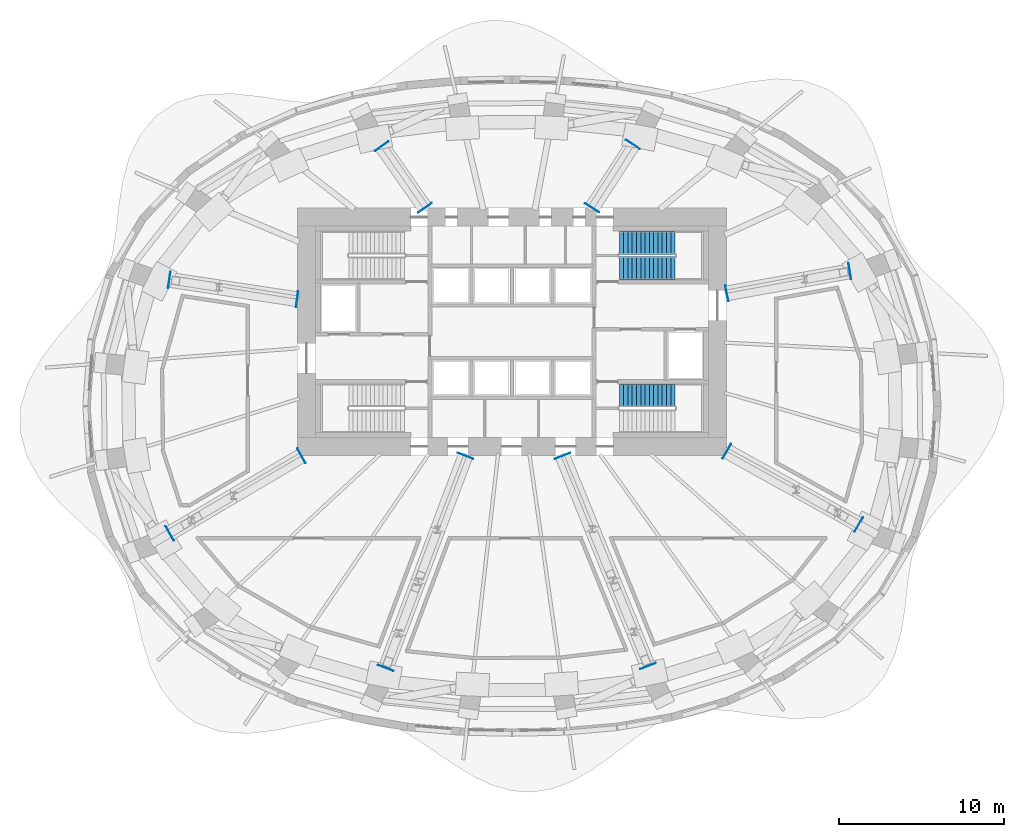
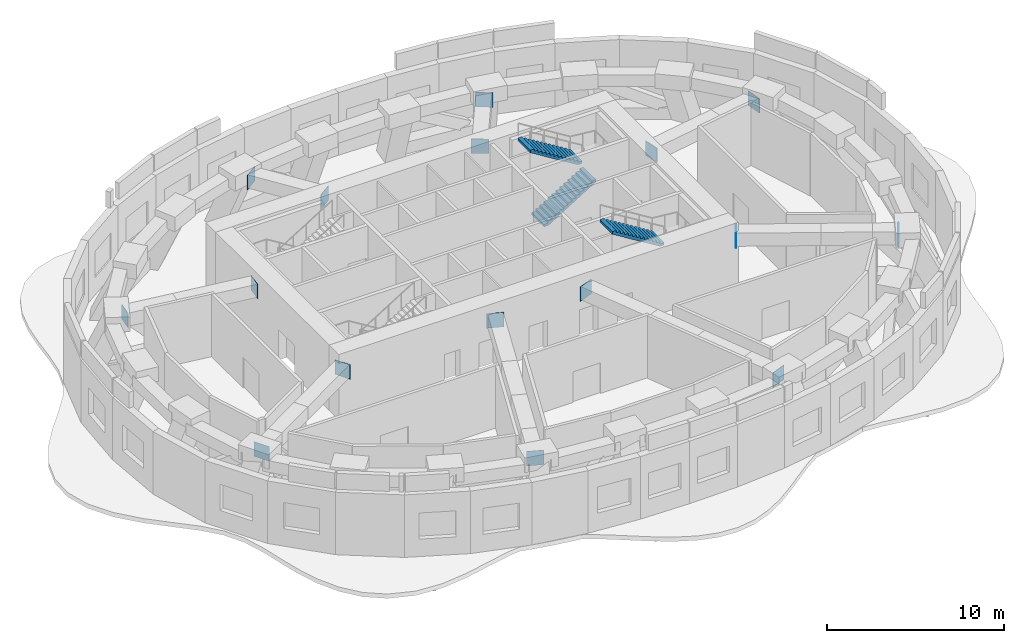
# One storey, part 10 of 11: 16 discrete accessories, 3 stair flights, 2 elements without a shape of their own.
"""IFC4 building model written with IfcOpenShell, lengths in metres."""

from ifc_helpers import new_model, si_unit, direction, frame, origin, origin_2d, place, context, subcontext, project, spatial, polyline, rectangle, outline, extrude, material, material_profile, profile_set, type_object, element, aggregate, save


model = new_model("IFC4")

# Units and contexts
model_context = context("Model", 3, precision=1e-05, world=origin(), true_north=direction((0.0, 1.0)))
body_context = subcontext(model_context, "Body", "Model", "MODEL_VIEW")
ifc_project = project(units=[si_unit("LENGTHUNIT", "METRE"), si_unit("AREAUNIT", "SQUARE_METRE"), si_unit("VOLUMEUNIT", "CUBIC_METRE"), si_unit("PLANEANGLEUNIT", "RADIAN"), si_unit("MASSUNIT", "GRAM", prefix="KILO")], contexts=[model_context])

# Site, building, storey
site_placement = place(None, origin())
site = spatial("IfcSite", under=ifc_project, at=site_placement, CompositionType="ELEMENT")
building_placement = place(site_placement, origin())
building = spatial("IfcBuilding", under=site, at=building_placement, Name="Rubra Terraces Tower", CompositionType="ELEMENT")
storey_placement = place(building_placement, frame((0.0, 0.0, 121.199951171875)))
storey = spatial("IfcBuildingStorey", under=building, at=storey_placement, Name="L29", CompositionType="ELEMENT", Elevation=121.199951171875)

# Stair, stair flights
ifc_material_1 = material(Name="Concrete C40", Category="concrete")
stair_type = type_object("IfcStairType", Name="Core stair 1400", PredefinedType="HALF_TURN_STAIR", material=ifc_material_1)
stair_1_placement = place(storey_placement, origin())
stair_1 = element("IfcStair", 1, at=stair_1_placement, inside=storey, type_object=stair_type, Name="L29 Exit stair S3", PredefinedType="HALF_TURN_STAIR")
stair_flight_type = type_object("IfcStairFlightType", Name="Core stair flight 1400", PredefinedType="STRAIGHT", material=ifc_material_1)
stair_flight_1_placement = place(storey_placement, frame((6.5, 8.35009765625, 0.0), z_axis=(0.0, 0.0, 1.0), x_axis=(1.0, 0.0, 0.0)))
stair_flight_1 = element("IfcStairFlight", 2, at=stair_flight_1_placement, type_object=stair_flight_type, Name="S3 flight 1", NumberOfRisers=14, NumberOfTreads=13, PredefinedType="STRAIGHT", RiserHeight=0.160714286, TreadLength=0.26, context=body_context, shape_type="SweptSolid", body=[
    extrude(outline(polyline([(0.0, 0.0), (0.0, 0.16064453125), (0.260009765625, 0.16064453125), (0.260009765625, 0.321533203125), (0.52001953125, 0.321533203125), (0.52001953125, 0.482177734375), (0.780029296875, 0.482177734375), (0.780029296875, 0.642822265625), (1.0400390625, 0.642822265625), (1.0400390625, 0.803466796875), (1.300048828125, 0.803466796875), (1.300048828125, 0.96435546875), (1.56005859375, 0.96435546875), (1.56005859375, 1.125), (1.820068359375, 1.125), (1.820068359375, 1.28564453125), (2.080078125, 1.28564453125), (2.080078125, 1.446533203125), (2.340087890625, 1.446533203125), (2.340087890625, 1.607177734375), (2.60009765625, 1.607177734375), (2.60009765625, 1.767822265625), (2.860107421875, 1.767822265625), (2.860107421875, 1.928466796875), (3.1201171875, 1.928466796875), (3.1201171875, 2.08935546875), (3.3798828125, 2.08935546875), (3.3798828125, 2.25), (3.3798828125, 1.9130859375), (0.28515625, 0.0), (0.0, 0.0)])), frame((0.0, 0.699951171875, 0.0), z_axis=(0.0, -1.0, 0.0), x_axis=(1.0, 0.0, 0.0)), (0.0, 0.0, 1.0), 1.39990234375),
])
stair_flight_2_placement = place(storey_placement, frame((9.8798828125, 9.89990234375, 2.25), z_axis=(0.0, 0.0, 1.0), x_axis=(-1.0, 0.0, 0.0)))
stair_flight_2 = element("IfcStairFlight", 3, at=stair_flight_2_placement, type_object=stair_flight_type, Name="S3 flight 2", NumberOfRisers=14, NumberOfTreads=13, PredefinedType="STRAIGHT", RiserHeight=0.160714286, TreadLength=0.26, context=body_context, shape_type="SweptSolid", body=[
    extrude(outline(polyline([(0.0, 0.0), (0.0, 0.16064453125), (0.260009765625, 0.16064453125), (0.260009765625, 0.321533203125), (0.52001953125, 0.321533203125), (0.52001953125, 0.482177734375), (0.780029296875, 0.482177734375), (0.780029296875, 0.642822265625), (1.0400390625, 0.642822265625), (1.0400390625, 0.803466796875), (1.300048828125, 0.803466796875), (1.300048828125, 0.96435546875), (1.56005859375, 0.96435546875), (1.56005859375, 1.125), (1.820068359375, 1.125), (1.820068359375, 1.28564453125), (2.080078125, 1.28564453125), (2.080078125, 1.446533203125), (2.340087890625, 1.446533203125), (2.340087890625, 1.607177734375), (2.60009765625, 1.607177734375), (2.60009765625, 1.767822265625), (2.860107421875, 1.767822265625), (2.860107421875, 1.928466796875), (3.1201171875, 1.928466796875), (3.1201171875, 2.08935546875), (3.3798828125, 2.08935546875), (3.3798828125, 2.25), (3.3798828125, 1.9130859375), (0.28515625, 0.0), (0.0, 0.0)])), frame((0.0, 0.699951171875, 0.0), z_axis=(0.0, -1.0, 0.0), x_axis=(1.0, 0.0, 0.0)), (0.0, 0.0, 1.0), 1.39990234375),
])
aggregate(stair_1, [stair_flight_1, stair_flight_2])

# Stair, stair flight
stair_2_placement = place(storey_placement, origin())
stair_2 = element("IfcStair", 4, at=stair_2_placement, inside=storey, type_object=stair_type, Name="L29 Exit stair S4", PredefinedType="HALF_TURN_STAIR")
stair_flight_3_placement = place(storey_placement, frame((9.8798828125, 0.64990234375, 2.25), z_axis=(0.0, 0.0, 1.0), x_axis=(-1.0, 0.0, 0.0)))
stair_flight_3 = element("IfcStairFlight", 5, at=stair_flight_3_placement, type_object=stair_flight_type, Name="S4 flight 2", NumberOfRisers=14, NumberOfTreads=13, PredefinedType="STRAIGHT", RiserHeight=0.160714286, TreadLength=0.26, context=body_context, shape_type="SweptSolid", body=[
    extrude(outline(polyline([(0.0, 0.0), (0.0, 0.16064453125), (0.260009765625, 0.16064453125), (0.260009765625, 0.321533203125), (0.52001953125, 0.321533203125), (0.52001953125, 0.482177734375), (0.780029296875, 0.482177734375), (0.780029296875, 0.642822265625), (1.0400390625, 0.642822265625), (1.0400390625, 0.803466796875), (1.300048828125, 0.803466796875), (1.300048828125, 0.96435546875), (1.56005859375, 0.96435546875), (1.56005859375, 1.125), (1.820068359375, 1.125), (1.820068359375, 1.28564453125), (2.080078125, 1.28564453125), (2.080078125, 1.446533203125), (2.340087890625, 1.446533203125), (2.340087890625, 1.607177734375), (2.60009765625, 1.607177734375), (2.60009765625, 1.767822265625), (2.860107421875, 1.767822265625), (2.860107421875, 1.928466796875), (3.1201171875, 1.928466796875), (3.1201171875, 2.08935546875), (3.3798828125, 2.08935546875), (3.3798828125, 2.25), (3.3798828125, 1.9130859375), (0.28515625, 0.0), (0.0, 0.0)])), frame((0.0, 0.699951171875, 0.0), z_axis=(0.0, -1.0, 0.0), x_axis=(1.0, 0.0, 0.0)), (0.0, 0.0, 1.0), 1.39990234375),
])
aggregate(stair_2, [stair_flight_3])

# Discrete accessories
ifc_material_2 = material(Name="Steel Q355B", Category="steel")
ifc_material_profile_1 = material_profile(ifc_material_2, rectangle(XDim=1.0, YDim=1.0, at=origin_2d()), Name="PL 1000x1000x30")
ifc_profile_set_1 = profile_set([ifc_material_profile_1], Name="Steel Q355B")
discrete_accessory_type_1 = type_object("IfcDiscreteAccessoryType", Name="Outrigger cast-in plate 30", PredefinedType="ANCHORPLATE", material=ifc_profile_set_1)
discrete_accessory_1_placement = place(storey_placement, frame((13.0, 6.8291015625, 3.400146484375), z_axis=(0.981490592026, 0.19151035942, 0.0), x_axis=(-0.19151035942, 0.981490592026, 0.0)))
element("IfcDiscreteAccessory", 6, at=discrete_accessory_1_placement, inside=storey, type_object=discrete_accessory_type_1, Name="Outrigger cast-in plate", PredefinedType="ANCHORPLATE", context=body_context, shape_type="SweptSolid", body=[
    extrude(rectangle(XDim=1.0, YDim=1.0, at=origin_2d()), origin(), (0.0, 0.0, 1.0), 0.030517578125),
])
discrete_accessory_2_placement = place(storey_placement, frame((4.841064453125, 12.0, 3.5), z_axis=(0.537410362896, 0.843320877159, 0.0), x_axis=(-0.843320877159, 0.537410362896, 0.0)))
element("IfcDiscreteAccessory", 7, at=discrete_accessory_2_placement, inside=storey, type_object=discrete_accessory_type_1, Name="Outrigger cast-in plate", PredefinedType="ANCHORPLATE", context=body_context, shape_type="SweptSolid", body=[
    extrude(rectangle(XDim=1.0, YDim=1.0, at=origin_2d()), origin(), (0.0, 0.0, 1.0), 0.029541015625),
])
for number, where, z_axis, x_axis, name in (
    (8, (-5.261962890625, 12.0, 3.5), (-0.565842496912, 0.824513352644, 0.0), (-0.824513352644, -0.565842496912, 0.0), "Outrigger cast-in plate"),
    (9, (-13.0, 6.47412109375, 3.400146484375), (-0.991645307552, 0.128994511551, 0.0), (-0.128994511551, -0.991645307552, 0.0), "Outrigger cast-in plate"),
):
    element("IfcDiscreteAccessory", number, at=place(storey_placement, frame(where, z_axis=z_axis, x_axis=x_axis)), inside=storey, type_object=discrete_accessory_type_1, Name=name, PredefinedType="ANCHORPLATE", context=body_context, shape_type="SweptSolid", body=[
        extrude(rectangle(XDim=1.0, YDim=1.0, at=origin_2d()), origin(), (0.0, 0.0, 1.0), 0.0302734375),
    ])
for number, where, z_axis, x_axis, name in (
    (10, (-12.740966796875, -3.0, 3.400146484375), (-0.868742338001, -0.495264323533, 0.0), (0.495264323533, -0.868742338001, 0.0), "Outrigger cast-in plate"),
    (11, (-2.81689453125, -3.0, 3.318115234375), (-0.364399348581, -0.931242779706, 0.0), (0.931242779706, -0.364399348581, 0.0), "Outrigger cast-in plate"),
    (12, (3.050048828125, -3.0, 3.318115234375), (0.364399348581, -0.931242779706, 0.0), (0.931242779706, 0.364399348581, 0.0), "Outrigger cast-in plate"),
):
    element("IfcDiscreteAccessory", number, at=place(storey_placement, frame(where, z_axis=z_axis, x_axis=x_axis)), inside=storey, type_object=discrete_accessory_type_1, Name=name, PredefinedType="ANCHORPLATE", context=body_context, shape_type="SweptSolid", body=[
        extrude(rectangle(XDim=1.0, YDim=1.0, at=origin_2d()), origin(), (0.0, 0.0, 1.0), 0.030029296875),
    ])
discrete_accessory_3_placement = place(storey_placement, frame((13.0, -2.72607421875, 3.400146484375), z_axis=(0.866729579783, -0.498778343083, 0.0), x_axis=(0.498778343083, 0.866729579783, 0.0)))
element("IfcDiscreteAccessory", 13, at=discrete_accessory_3_placement, inside=storey, type_object=discrete_accessory_type_1, Name="Outrigger cast-in plate", PredefinedType="ANCHORPLATE", context=body_context, shape_type="SweptSolid", body=[
    extrude(rectangle(XDim=1.0, YDim=1.0, at=origin_2d()), origin(), (0.0, 0.0, 1.0), 0.02978515625),
])
ifc_material_profile_2 = material_profile(ifc_material_2, rectangle(XDim=1.0, YDim=1.0, at=origin_2d()), Name="PL 1000x1000x30")
ifc_profile_set_2 = profile_set([ifc_material_profile_2], Name="Steel Q355B")
discrete_accessory_type_2 = type_object("IfcDiscreteAccessoryType", Name="Outrigger chord end plate 30", PredefinedType="ANCHORPLATE", material=ifc_profile_set_2)
discrete_accessory_4_placement = place(storey_placement, frame((20.451904296875, 8.1650390625, 3.400146484375), z_axis=(0.987036848987, 0.160493796583, 0.0), x_axis=(-0.160493796583, 0.987036848987, 0.0)))
element("IfcDiscreteAccessory", 14, at=discrete_accessory_4_placement, inside=storey, type_object=discrete_accessory_type_2, Name="Outrigger chord end plate", PredefinedType="ANCHORPLATE", context=body_context, shape_type="SweptSolid", body=[
    extrude(rectangle(XDim=1.0, YDim=1.0, at=origin_2d()), origin(), (0.0, 0.0, 1.0), 0.030517578125),
])
discrete_accessory_5_placement = place(storey_placement, frame((7.318115234375, 15.837890625, 3.5), z_axis=(0.556560213551, 0.830807275301, 0.0), x_axis=(-0.830807275301, 0.556560213551, 0.0)))
element("IfcDiscreteAccessory", 15, at=discrete_accessory_5_placement, inside=storey, type_object=discrete_accessory_type_2, Name="Outrigger chord end plate", PredefinedType="ANCHORPLATE", context=body_context, shape_type="SweptSolid", body=[
    extrude(rectangle(XDim=1.0, YDim=1.0, at=origin_2d()), origin(), (0.0, 0.0, 1.0), 0.0302734375),
])
discrete_accessory_6_placement = place(storey_placement, frame((-7.882080078125, 15.736083984375, 3.5), z_axis=(-0.581992098984, 0.813194439676, 0.0), x_axis=(-0.813194439676, -0.581992098984, 0.0)))
element("IfcDiscreteAccessory", 16, at=discrete_accessory_6_placement, inside=storey, type_object=discrete_accessory_type_2, Name="Outrigger chord end plate", PredefinedType="ANCHORPLATE", context=body_context, shape_type="SweptSolid", body=[
    extrude(rectangle(XDim=1.0, YDim=1.0, at=origin_2d()), origin(), (0.0, 0.0, 1.0), 0.030517578125),
])
discrete_accessory_7_placement = place(storey_placement, frame((-20.74609375, 7.64990234375, 3.400146484375), z_axis=(-0.989781037653, 0.142595573221, 0.0), x_axis=(-0.142595573221, -0.989781037653, 0.0)))
element("IfcDiscreteAccessory", 17, at=discrete_accessory_7_placement, inside=storey, type_object=discrete_accessory_type_2, Name="Outrigger chord end plate", PredefinedType="ANCHORPLATE", context=body_context, shape_type="SweptSolid", body=[
    extrude(rectangle(XDim=1.0, YDim=1.0, at=origin_2d()), origin(), (0.0, 0.0, 1.0), 0.029052734375),
])
for number, where, z_axis, x_axis, name in (
    (18, (-20.718994140625, -7.696044921875, 3.400146484375), (-0.868742338001, -0.495264323533, 0.0), (0.495264323533, -0.868742338001, 0.0), "Outrigger chord end plate"),
    (19, (-7.64306640625, -15.846923828125, 3.318115234375), (-0.364399348581, -0.931242779706, 0.0), (0.931242779706, -0.364399348581, 0.0), "Outrigger chord end plate"),
    (20, (8.22802734375, -15.735107421875, 3.318115234375), (0.367166534736, -0.930155221331, 0.0), (0.930155221331, 0.367166534736, 0.0), "Outrigger chord end plate"),
):
    element("IfcDiscreteAccessory", number, at=place(storey_placement, frame(where, z_axis=z_axis, x_axis=x_axis)), inside=storey, type_object=discrete_accessory_type_2, Name=name, PredefinedType="ANCHORPLATE", context=body_context, shape_type="SweptSolid", body=[
        extrude(rectangle(XDim=1.0, YDim=1.0, at=origin_2d()), origin(), (0.0, 0.0, 1.0), 0.030029296875),
    ])
discrete_accessory_8_placement = place(storey_placement, frame((20.991943359375, -7.16796875, 3.400146484375), z_axis=(0.865241683045, -0.501354993914, 0.0), x_axis=(0.501354993914, 0.865241683045, 0.0)))
element("IfcDiscreteAccessory", 21, at=discrete_accessory_8_placement, inside=storey, type_object=discrete_accessory_type_2, Name="Outrigger chord end plate", PredefinedType="ANCHORPLATE", context=body_context, shape_type="SweptSolid", body=[
    extrude(rectangle(XDim=1.0, YDim=1.0, at=origin_2d()), origin(), (0.0, 0.0, 1.0), 0.0302734375),
])

save(model, "model.ifc")
